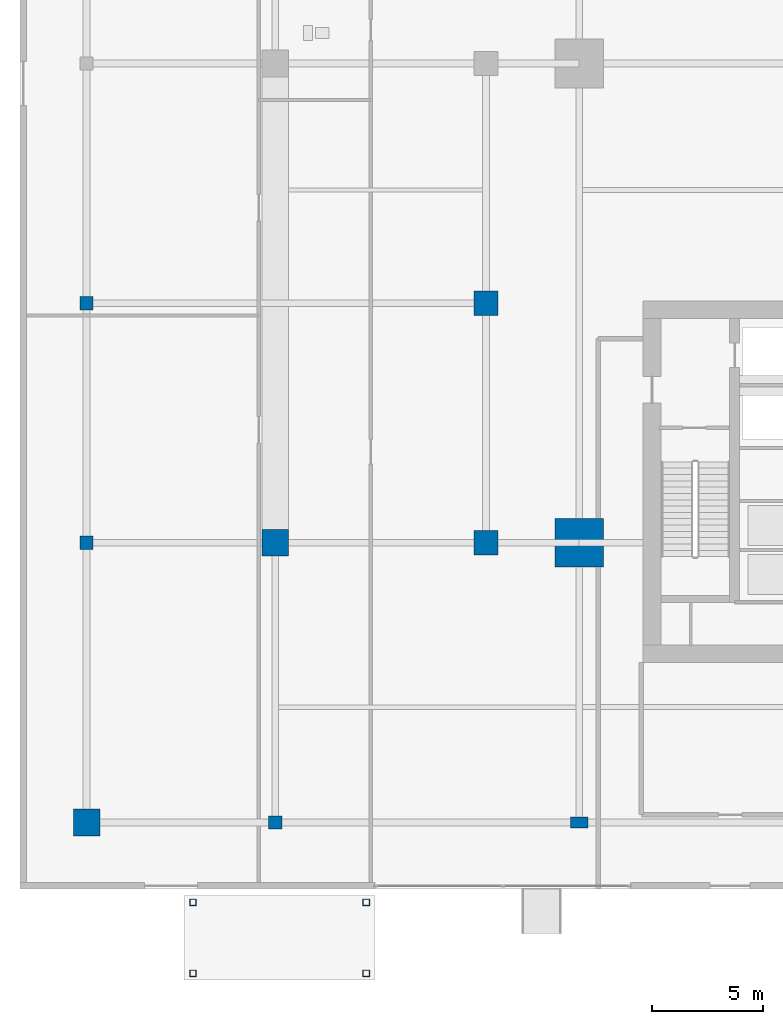
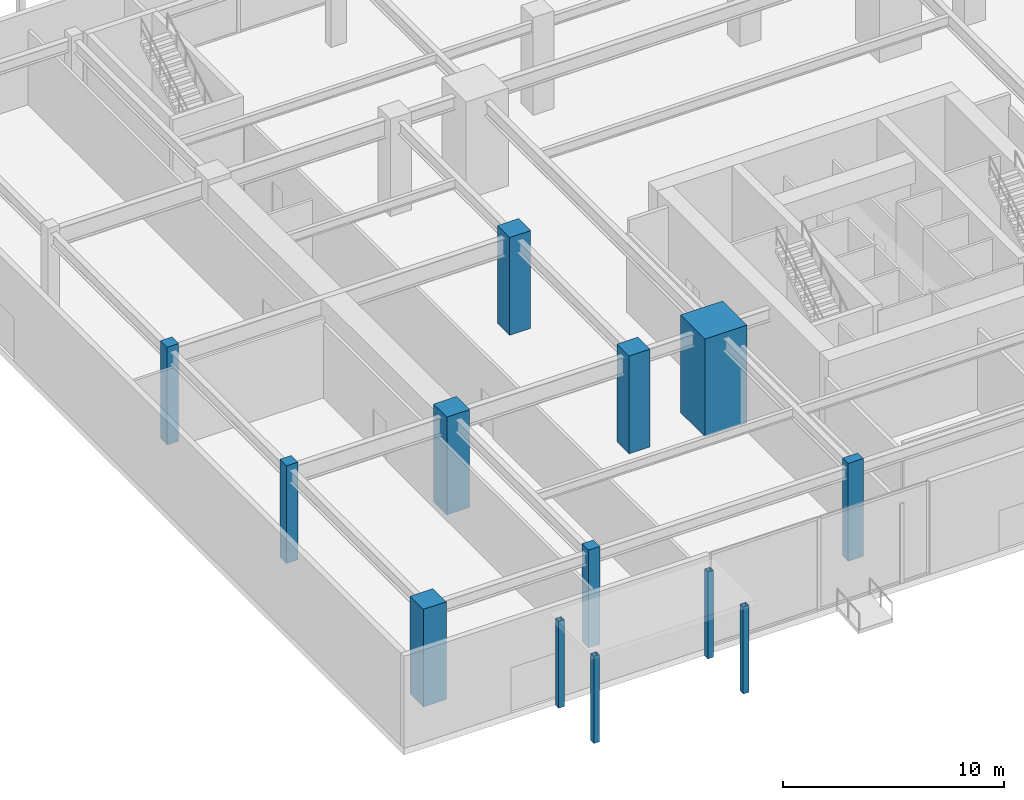
# One storey, part 1 of 28: 13 columns.
"""IFC4 building model written with IfcOpenShell, lengths in metres."""

import ifcopenshell
import ifcopenshell.guid

model = None  # the IFC model being written
_history = None  # IfcOwnerHistory: only IFC2X3 demands one
_inside = {}  # id of a spatial element -> (the spatial element, [elements in it])
_under = {}  # id of a project, library or spatial element -> (it, [spatial elements below it])
_declared = {}  # id of a project -> (the project, [libraries it declares])
_typed = {}  # id of a type object -> (the type object, [elements of that type])
_made_of = {}  # id of a material, layer set ... -> (it, [elements and type objects made of it])


def new_model(schema):
    """Start an empty IFC model of exactly this schema.

    Asked for "IFC4X3", IfcOpenShell would pick the latest addendum, in which some entities
    have other attributes; the version numbers below select the first issue.
    IFC2X3 requires an IfcOwnerHistory on every rooted entity: one is made here for all.
    """
    global model, _history
    if schema == "IFC4X3":
        model = ifcopenshell.file(schema_version=(4, 3, 0, 0))
    else:
        model = ifcopenshell.file(schema=schema)
    _inside.clear()
    _under.clear()
    _declared.clear()
    _typed.clear()
    _made_of.clear()
    _history = None
    if model.schema == "IFC2X3":
        org = make("IfcOrganization", Name="unknown")
        user = make(
            "IfcPersonAndOrganization",
            ThePerson=make("IfcPerson", FamilyName="unknown"),
            TheOrganization=org,
        )
        app = make(
            "IfcApplication",
            ApplicationDeveloper=org,
            Version="unknown",
            ApplicationFullName="unknown",
            ApplicationIdentifier="unknown",
        )
        _history = make(
            "IfcOwnerHistory",
            OwningUser=user,
            OwningApplication=app,
            ChangeAction="ADDED",
            CreationDate=0,
        )
    return model


def make(cls, **values):
    """One entity of the class cls with the attributes given. An attribute that is None is left unset."""
    return model.create_entity(
        cls, **{name: value for name, value in values.items() if value is not None}
    )


def rooted(cls, **values):
    """An entity with a GlobalId (a new one), such as an element, a storey or a relation."""
    return make(cls, GlobalId=ifcopenshell.guid.new(), OwnerHistory=_history, **values)


def si_unit(unit_type, name, prefix=None):
    """IfcSIUnit, for example si_unit("LENGTHUNIT", "METRE", prefix="MILLI")."""
    return make("IfcSIUnit", UnitType=unit_type, Prefix=prefix, Name=name)


def assignment(units):
    """IfcUnitAssignment: the units of a project."""
    return None if units is None else make("IfcUnitAssignment", Units=units)


def point(xyz):
    """IfcCartesianPoint."""
    return None if xyz is None else make("IfcCartesianPoint", Coordinates=xyz)


def direction(xyz):
    """IfcDirection."""
    return None if xyz is None else make("IfcDirection", DirectionRatios=xyz)


def frame(location, z_axis=None, x_axis=None):
    """IfcAxis2Placement3D, a coordinate frame: its origin and axes. An axis left out is left unset."""
    return make(
        "IfcAxis2Placement3D",
        Location=point(location),
        Axis=direction(z_axis),
        RefDirection=direction(x_axis),
    )


def frame_2d(location, x_axis=None):
    """IfcAxis2Placement2D, a coordinate frame in the plane: its origin and x axis."""
    return make(
        "IfcAxis2Placement2D", Location=point(location), RefDirection=direction(x_axis)
    )


def origin():
    """The frame at (0, 0, 0) with its axes left unset."""
    return frame((0.0, 0.0, 0.0))


def origin_2d():
    """The frame at (0, 0) in the plane with its x axis left unset."""
    return frame_2d((0.0, 0.0))


def place(relative_to, where):
    """IfcLocalPlacement: puts the frame where relative to a parent placement (None: the world)."""
    return make(
        "IfcLocalPlacement", PlacementRelTo=relative_to, RelativePlacement=where
    )


def context(
    kind, dimensions, precision=None, world=None, true_north=None, identifier=None
):
    """IfcGeometricRepresentationContext, for example the 3D "Model" context."""
    return make(
        "IfcGeometricRepresentationContext",
        ContextIdentifier=identifier,
        ContextType=kind,
        CoordinateSpaceDimension=dimensions,
        Precision=precision,
        WorldCoordinateSystem=world,
        TrueNorth=true_north,
    )


def subcontext(parent, identifier, kind, view, scale=None):
    """IfcGeometricRepresentationSubContext, for example "Body" below "Model"."""
    return make(
        "IfcGeometricRepresentationSubContext",
        ContextIdentifier=identifier,
        ContextType=kind,
        ParentContext=parent,
        TargetScale=scale,
        TargetView=view,
    )


def project(units=None, contexts=None):
    """IfcProject with its units and contexts."""
    return rooted(
        "IfcProject",
        Name="project",
        RepresentationContexts=contexts,
        UnitsInContext=assignment(units),
    )


def spatial(cls, under=None, at=None, **own):
    """A site, building, storey or space (cls), placed at a placement, below another one or the project."""
    s = rooted(cls, ObjectPlacement=at, **own)
    if under is not None:
        _under.setdefault(under.id(), (under, []))[1].append(s)
    return s


def profile(cls, at=None, kind="AREA", **sizes):
    """A parametric profile (cls). Its sizes go by their IFC names, for example OverallWidth=200.0."""
    return make(cls, ProfileType=kind, Position=at, **sizes)


def rectangle(**sizes):
    """IfcRectangleProfileDef."""
    return profile("IfcRectangleProfileDef", **sizes)


def hollow_rectangle(**sizes):
    """IfcRectangleHollowProfileDef."""
    return profile("IfcRectangleHollowProfileDef", **sizes)


def extrude(swept, where, along, depth):
    """IfcExtrudedAreaSolid: the profile swept, set in the frame where, extruded along a direction by depth."""
    return make(
        "IfcExtrudedAreaSolid",
        SweptArea=swept,
        Position=where,
        ExtrudedDirection=direction(along),
        Depth=depth,
    )


def shape(context_of_items, identifier, shape_type, items):
    """IfcShapeRepresentation: the items that make up one representation, for example the "Body"."""
    return make(
        "IfcShapeRepresentation",
        ContextOfItems=context_of_items,
        RepresentationIdentifier=identifier,
        RepresentationType=shape_type,
        Items=items,
    )


def source(mapping_origin, context_of_items, identifier, shape_type, items):
    """IfcRepresentationMap: a shape defined once, which mapped items show again and again."""
    return make(
        "IfcRepresentationMap",
        MappingOrigin=mapping_origin,
        MappedRepresentation=shape(context_of_items, identifier, shape_type, items),
    )


def transform(
    local_origin,
    x_axis=None,
    y_axis=None,
    z_axis=None,
    scale=None,
    scale2=None,
    scale3=None,
    uniform=True,
):
    """IfcCartesianTransformationOperator3D, or its non-uniform kind. x_axis, y_axis, z_axis: its Axis1, 2, 3."""
    if uniform:
        return make(
            "IfcCartesianTransformationOperator3D",
            Axis1=direction(x_axis),
            Axis2=direction(y_axis),
            LocalOrigin=point(local_origin),
            Scale=scale,
            Axis3=direction(z_axis),
        )
    return make(
        "IfcCartesianTransformationOperator3DnonUniform",
        Axis1=direction(x_axis),
        Axis2=direction(y_axis),
        LocalOrigin=point(local_origin),
        Scale=scale,
        Axis3=direction(z_axis),
        Scale2=scale2,
        Scale3=scale3,
    )


def mapped(mapping_source, mapping_target):
    """IfcMappedItem: shows the shape of a source again, moved by a transform."""
    return make(
        "IfcMappedItem", MappingSource=mapping_source, MappingTarget=mapping_target
    )


def material(Name=None, Category=None):
    """IfcMaterial."""
    return make("IfcMaterial", Name=Name, Category=Category)


def material_profile(
    of_material, cross_section, Name=None, Category=None, Priority=None
):
    """IfcMaterialProfile: a cross section and its material."""
    return make(
        "IfcMaterialProfile",
        Name=Name,
        Material=of_material,
        Profile=cross_section,
        Priority=Priority,
        Category=Category,
    )


def profile_set(profiles, Name=None, composite=None):
    """IfcMaterialProfileSet."""
    return make(
        "IfcMaterialProfileSet",
        Name=Name,
        MaterialProfiles=profiles,
        CompositeProfile=composite,
    )


def made_of(thing, what):
    """Note that an element or type object is made of a material, layer set ...; save() writes the relation."""
    if what is not None:
        _made_of.setdefault(what.id(), (what, []))[1].append(thing)
    return thing


def type_object(cls, material=None, **own):
    """A type object (cls), such as IfcWallType, which elements share."""
    return made_of(rooted(cls, **own), material)


def type_shapes(of_type, sources):
    """Give a type object the sources (RepresentationMaps) that its elements show as mapped items."""
    of_type.RepresentationMaps = sources


def element(
    cls,
    number,
    at=None,
    inside=None,
    cuts=None,
    type_object=None,
    material=None,
    context=None,
    identifier="Body",
    shape_type=None,
    held_by="IfcProductDefinitionShape",
    body=None,
    shapes=None,
    **own,
):
    """One element of the class cls, such as IfcWall. Its Tag is "e" and its number.

    at: its placement. inside: the storey or other place that contains it. cuts: it is an
    opening in that element (IfcRelVoidsElement). A single representation is given by context,
    identifier, shape_type and body (its items); several are given by shapes. held_by: the class
    of the entity that holds the representations. save() writes the other relations.
    """
    e = rooted(cls, Tag="e%d" % number, ObjectPlacement=at, **own)
    if body is not None:
        shapes = [shape(context, identifier, shape_type, body)]
    if shapes is not None:
        e.Representation = make(held_by, Representations=shapes)
    if inside is not None:
        _inside.setdefault(inside.id(), (inside, []))[1].append(e)
    if cuts is not None:
        rooted(
            "IfcRelVoidsElement", RelatingBuildingElement=cuts, RelatedOpeningElement=e
        )
    if type_object is not None:
        _typed.setdefault(type_object.id(), (type_object, []))[1].append(e)
    return made_of(e, material)


def aggregate(whole, parts):
    """IfcRelAggregates: a whole, such as a stair, and the parts it consists of."""
    return rooted("IfcRelAggregates", RelatingObject=whole, RelatedObjects=parts)


def save(model, path):
    """Write the relations noted so far, then the file.

    IfcRelAggregates (storeys below a building ...), IfcRelContainedInSpatialStructure (elements
    in a storey), IfcRelDefinesByType, IfcRelAssociatesMaterial and IfcRelDeclares: one each for
    every whole, place, type object, material and project.
    """
    for whole, parts in _under.values():
        aggregate(whole, parts)
    for where, things in _inside.values():
        rooted(
            "IfcRelContainedInSpatialStructure",
            RelatedElements=things,
            RelatingStructure=where,
        )
    for kind, things in _typed.values():
        rooted("IfcRelDefinesByType", RelatedObjects=things, RelatingType=kind)
    for what, things in _made_of.values():
        rooted("IfcRelAssociatesMaterial", RelatedObjects=things, RelatingMaterial=what)
    for by, libraries in _declared.values():
        rooted("IfcRelDeclares", RelatingContext=by, RelatedDefinitions=libraries)
    model.write(path)


model = new_model("IFC4")

# Units and contexts
model_context = context("Model", 3, precision=1e-05, world=origin(), true_north=direction((0.0, 1.0)))
body_context = subcontext(model_context, "Body", "Model", "MODEL_VIEW")
ifc_project = project(units=[si_unit("LENGTHUNIT", "METRE"), si_unit("AREAUNIT", "SQUARE_METRE"), si_unit("VOLUMEUNIT", "CUBIC_METRE"), si_unit("PLANEANGLEUNIT", "RADIAN"), si_unit("MASSUNIT", "GRAM", prefix="KILO")], contexts=[model_context])

# Site, building, storey
site_placement = place(None, origin())
site = spatial("IfcSite", under=ifc_project, at=site_placement, CompositionType="ELEMENT")
building_placement = place(site_placement, origin())
building = spatial("IfcBuilding", under=site, at=building_placement, Name="Krantzveldt Concourse Tower", CompositionType="ELEMENT")
storey_placement = place(building_placement, origin())
storey = spatial("IfcBuildingStorey", under=building, at=storey_placement, Name="L00", CompositionType="ELEMENT", Elevation=0.0)

# Columns
ifc_material_1 = material(Name="Concrete C60/75", Category="concrete")
ifc_material_profile_1 = material_profile(ifc_material_1, rectangle(XDim=2.199951171875, YDim=2.199951171875, at=origin_2d()), Name="Concrete C60/75", Category="concrete")
ifc_profile_set_1 = profile_set([ifc_material_profile_1], Name="Concrete C60/75 - RC 2200x2200")
column_type_1 = type_object("IfcColumnType", Name="COL-MC-2200", PredefinedType="USERDEFINED", material=ifc_profile_set_1)
shared_shape_1 = source(origin(), body_context, "Body", "SweptSolid", [
    extrude(rectangle(XDim=2.199951171875, YDim=2.199951171875, at=origin_2d()), origin(), (0.0, 0.0, 1.0), 5.39990234375),
])
type_shapes(column_type_1, [shared_shape_1])
column_1_placement = place(storey_placement, frame((25.199951171875, 15.89990234375, 0.0), z_axis=(0.0, 0.0, 1.0), x_axis=(1.0, 0.0, 0.0)))
element("IfcColumn", 1, at=column_1_placement, inside=storey, type_object=column_type_1, Name="MC-SW-L00", ObjectType="MEGA COLUMN", PredefinedType="USERDEFINED", context=body_context, shape_type="MappedRepresentation", body=[
    mapped(shared_shape_1, transform((0.0, 0.0, 0.0), x_axis=(1.0, 0.0, 0.0), y_axis=(0.0, 1.0, 0.0), z_axis=(0.0, 0.0, 1.0), scale=1.0)),
])
ifc_material_profile_2 = material_profile(ifc_material_1, rectangle(XDim=1.10009765625, YDim=1.10009765625, at=origin_2d()), Name="Concrete C60/75", Category="concrete")
ifc_profile_set_2 = profile_set([ifc_material_profile_2], Name="Concrete C60/75 - RC 1100x1100")
column_type_2 = type_object("IfcColumnType", Name="COL-C-Z1", PredefinedType="COLUMN", material=ifc_profile_set_2)
shared_shape_2 = source(origin(), body_context, "Body", "SweptSolid", [
    extrude(rectangle(XDim=1.10009765625, YDim=1.10009765625, at=origin_2d()), origin(), (0.0, 0.0, 1.0), 5.39990234375),
])
type_shapes(column_type_2, [shared_shape_2])
for number, where, z_axis, x_axis, name in (
    (2, (21.0, 15.89990234375, 0.0), (0.0, 0.0, 1.0), (1.0, 0.0, 0.0), "PC-R01-L00"),
    (3, (21.0, 26.699951171875, 0.0), (0.0, 0.0, 1.0), (1.0, 0.0, 0.0), "PC-R02-L00"),
):
    element("IfcColumn", number, at=place(storey_placement, frame(where, z_axis=z_axis, x_axis=x_axis)), inside=storey, type_object=column_type_2, Name=name, PredefinedType="COLUMN", context=body_context, shape_type="MappedRepresentation", body=[
        mapped(shared_shape_2, transform((0.0, 0.0, 0.0), x_axis=(1.0, 0.0, 0.0), y_axis=(0.0, 1.0, 0.0), z_axis=(0.0, 0.0, 1.0), scale=1.0)),
    ])
ifc_material_2 = material(Name="Steel S355J2", Category="steel")
ifc_material_profile_3 = material_profile(ifc_material_2, hollow_rectangle(XDim=0.300048828125, YDim=0.300048828125, WallThickness=0.02001953125, at=origin_2d()), Name="Steel S355J2", Category="steel")
ifc_profile_set_3 = profile_set([ifc_material_profile_3], Name="Steel S355J2 - SHS 300x300x20")
column_type_3 = type_object("IfcColumnType", Name="COL-SC-CRN300", PredefinedType="COLUMN", material=ifc_profile_set_3)
shared_shape_3 = source(origin(), body_context, "Body", "SweptSolid", [
    extrude(hollow_rectangle(XDim=0.300048828125, YDim=0.300048828125, WallThickness=0.02001953125, at=origin_2d()), origin(), (0.0, 0.0, 1.0), 4.800048828125),
])
type_shapes(column_type_3, [shared_shape_3])
for number, where, z_axis, x_axis, name in (
    (4, (7.800048828125, -3.5, 0.0), (0.0, 0.0, 1.0), (1.0, 0.0, 0.0), "CP-S1W"),
    (5, (15.60009765625, -3.5, 0.0), (0.0, 0.0, 1.0), (1.0, 0.0, 0.0), "CP-S1E"),
    (6, (7.800048828125, -0.300048828125, 0.0), (0.0, 0.0, 1.0), (1.0, 0.0, 0.0), "CP-S1WI"),
    (7, (15.60009765625, -0.300048828125, 0.0), (0.0, 0.0, 1.0), (1.0, 0.0, 0.0), "CP-S1EI"),
):
    element("IfcColumn", number, at=place(storey_placement, frame(where, z_axis=z_axis, x_axis=x_axis)), inside=storey, type_object=column_type_3, Name=name, PredefinedType="COLUMN", context=body_context, shape_type="MappedRepresentation", body=[
        mapped(shared_shape_3, transform((0.0, 0.0, 0.0), x_axis=(1.0, 0.0, 0.0), y_axis=(0.0, 1.0, 0.0), z_axis=(0.0, 0.0, 1.0), scale=1.0)),
    ])
ifc_material_3 = material(Name="Concrete C40/50", Category="concrete")
ifc_material_profile_4 = material_profile(ifc_material_3, rectangle(XDim=0.60009765625, YDim=0.60009765625, at=origin_2d()), Name="Concrete C40/50", Category="concrete")
ifc_profile_set_4 = profile_set([ifc_material_profile_4], Name="Concrete C40/50 - RC 600x600")
column_type_4 = type_object("IfcColumnType", Name="COL-C-POD", PredefinedType="COLUMN", material=ifc_profile_set_4)
shared_shape_4 = source(origin(), body_context, "Body", "SweptSolid", [
    extrude(rectangle(XDim=0.60009765625, YDim=0.60009765625, at=origin_2d()), origin(), (0.0, 0.0, 1.0), 5.39990234375),
])
type_shapes(column_type_4, [shared_shape_4])
for number, where, z_axis, x_axis, name in (
    (8, (3.0, 15.89990234375, 0.0), (0.0, 0.0, 1.0), (1.0, 0.0, 0.0), "PC-W1-L00"),
    (9, (3.0, 26.699951171875, 0.0), (0.0, 0.0, 1.0), (1.0, 0.0, 0.0), "PC-W2-L00"),
    (10, (11.5, 3.300048828125, 0.0), (0.0, 0.0, 1.0), (1.0, 0.0, 0.0), "PC-IWS-L00"),
):
    element("IfcColumn", number, at=place(storey_placement, frame(where, z_axis=z_axis, x_axis=x_axis)), inside=storey, type_object=column_type_4, Name=name, PredefinedType="COLUMN", context=body_context, shape_type="MappedRepresentation", body=[
        mapped(shared_shape_4, transform((0.0, 0.0, 0.0), x_axis=(1.0, 0.0, 0.0), y_axis=(0.0, 1.0, 0.0), z_axis=(0.0, 0.0, 1.0), scale=1.0)),
    ])
ifc_material_4 = material(Name="Concrete C50/60", Category="concrete")
ifc_material_profile_5 = material_profile(ifc_material_4, rectangle(XDim=1.199951171875, YDim=1.199951171875, at=origin_2d()), Name="Concrete C50/60", Category="concrete")
ifc_profile_set_5 = profile_set([ifc_material_profile_5], Name="Concrete C50/60 - RC 1200x1200")
column_type_5 = type_object("IfcColumnType", Name="COL-MC-1200", PredefinedType="USERDEFINED", material=ifc_profile_set_5)
shared_shape_5 = source(origin(), body_context, "Body", "SweptSolid", [
    extrude(rectangle(XDim=1.199951171875, YDim=1.199951171875, at=origin_2d()), origin(), (0.0, 0.0, 1.0), 5.39990234375),
])
type_shapes(column_type_5, [shared_shape_5])
for number, where, z_axis, x_axis, name in (
    (11, (3.0, 3.300048828125, 0.0), (0.0, 0.0, 1.0), (1.0, 0.0, 0.0), "PC-SW-L00"),
    (12, (11.5, 15.89990234375, 0.0), (0.0, 0.0, 1.0), (1.0, 0.0, 0.0), "PC-IW1-L00"),
):
    element("IfcColumn", number, at=place(storey_placement, frame(where, z_axis=z_axis, x_axis=x_axis)), inside=storey, type_object=column_type_5, Name=name, ObjectType="MEGA COLUMN", PredefinedType="USERDEFINED", context=body_context, shape_type="MappedRepresentation", body=[
        mapped(shared_shape_5, transform((0.0, 0.0, 0.0), x_axis=(1.0, 0.0, 0.0), y_axis=(0.0, 1.0, 0.0), z_axis=(0.0, 0.0, 1.0), scale=1.0)),
    ])
ifc_material_profile_6 = material_profile(ifc_material_4, rectangle(XDim=0.800048828125, YDim=0.5, at=origin_2d()), Name="Concrete C50/60", Category="concrete")
ifc_profile_set_6 = profile_set([ifc_material_profile_6], Name="Concrete C50/60 - RC-PIL 800x500")
column_type_6 = type_object("IfcColumnType", Name="COL-PIL-800", PredefinedType="PILASTER", material=ifc_profile_set_6)
shared_shape_6 = source(origin(), body_context, "Body", "SweptSolid", [
    extrude(rectangle(XDim=0.800048828125, YDim=0.5, at=origin_2d()), origin(), (0.0, 0.0, 1.0), 5.39990234375),
])
type_shapes(column_type_6, [shared_shape_6])
column_2_placement = place(storey_placement, frame((25.199951171875, 3.300048828125, 0.0), z_axis=(0.0, 0.0, 1.0), x_axis=(1.0, 0.0, 0.0)))
element("IfcColumn", 13, at=column_2_placement, inside=storey, type_object=column_type_6, Name="PC-PIL1-L00", PredefinedType="PILASTER", context=body_context, shape_type="MappedRepresentation", body=[
    mapped(shared_shape_6, transform((0.0, 0.0, 0.0), x_axis=(1.0, 0.0, 0.0), y_axis=(0.0, 1.0, 0.0), z_axis=(0.0, 0.0, 1.0), scale=1.0)),
])

save(model, "model.ifc")
